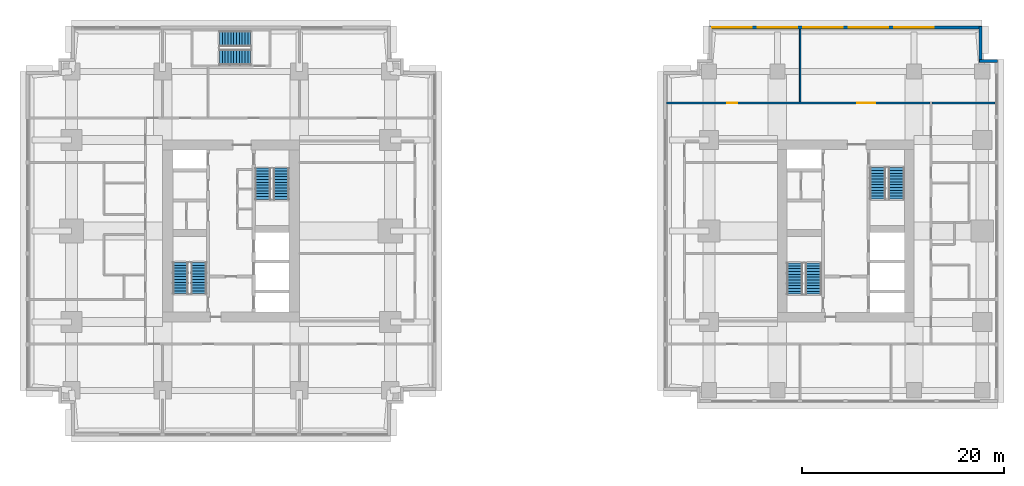
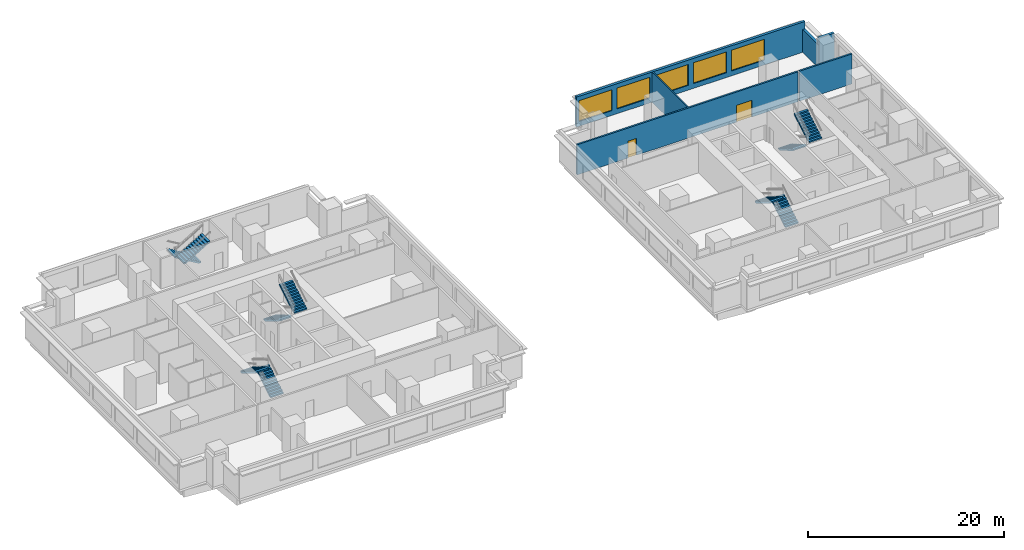
# One storey, part 8 of 10: 10 stair flights, 6 walls, 5 windows, 2 doors, 7 openings, 5 elements without a shape of their own.
"""IFC4 building model written with IfcOpenShell, lengths in metres."""

from ifc_helpers import new_model, si_unit, direction, frame, frame_2d, origin, place, context, subcontext, project, spatial, polyline, rectangle, outline, extrude, material, layer, layer_set, type_object, element, fill, aggregate, save


model = new_model("IFC4")

# Units and contexts
model_context = context("Model", 3, precision=1e-05, world=origin(), true_north=direction((0.0, 1.0)))
body_context = subcontext(model_context, "Body", "Model", "MODEL_VIEW")
ifc_project = project(units=[si_unit("LENGTHUNIT", "METRE"), si_unit("AREAUNIT", "SQUARE_METRE"), si_unit("VOLUMEUNIT", "CUBIC_METRE"), si_unit("PLANEANGLEUNIT", "RADIAN"), si_unit("MASSUNIT", "GRAM", prefix="KILO")], contexts=[model_context])

# Site, building, storey
site_placement = place(None, origin())
site = spatial("IfcSite", under=ifc_project, at=site_placement, CompositionType="ELEMENT")
building_placement = place(site_placement, origin())
building = spatial("IfcBuilding", under=site, at=building_placement, Name="Namib Vertical Campus", CompositionType="ELEMENT")
storey_placement = place(building_placement, frame((0.0, 0.0, 141.0)))
storey = spatial("IfcBuildingStorey", under=building, at=storey_placement, Name="L33", CompositionType="ELEMENT", Elevation=141.0)

# Wall, openings, doors
ifc_material_1 = material(Name="Concrete masonry", Category="masonry")
ifc_layer_1 = layer(ifc_material_1, 0.199951171875)
ifc_layer_set_1 = layer_set([ifc_layer_1], Name="Corridor wall 200")
wall_type_1 = type_object("IfcWallType", Name="Corridor wall 200", PredefinedType="SOLIDWALL", material=ifc_layer_set_1)
wall_1_placement = place(storey_placement, frame((89.35009765625, 32.89990234375, 0.0), z_axis=(0.0, 0.0, 1.0), x_axis=(-1.0, 0.0, 0.0)))
wall_1 = element("IfcWall", 1, at=wall_1_placement, inside=storey, type_object=wall_type_1, Name="Corridor wall B L33 CN", PredefinedType="SOLIDWALL", context=body_context, shape_type="SweptSolid", body=[
    extrude(rectangle(XDim=26.050048828125, YDim=0.199951171875, at=frame_2d((13.02490234375, 0.0))), origin(), (0.0, 0.0, 1.0), 3.75),
])
opening_1_placement = place(wall_1_placement, frame((19.050048828125, 0.0, 0.0)))
opening_1 = element("IfcOpeningElement", 2, at=opening_1_placement, cuts=wall_1, Name="Opening CD1", PredefinedType="OPENING", context=body_context, shape_type="SweptSolid", body=[
    extrude(rectangle(XDim=1.0, YDim=2.10009765625, at=frame_2d((0.5, 1.050048828125))), frame((0.0, 0.10986328125, 0.0), z_axis=(0.0, -1.0, 0.0), x_axis=(1.0, 0.0, 0.0)), (0.0, 0.0, 1.0), 0.219970703125),
])
opening_2_placement = place(wall_1_placement, frame((5.425048828125, 0.0, 0.0)))
opening_2 = element("IfcOpeningElement", 3, at=opening_2_placement, cuts=wall_1, Name="Opening CD2", PredefinedType="OPENING", context=body_context, shape_type="SweptSolid", body=[
    extrude(rectangle(XDim=1.800048828125, YDim=2.10009765625, at=frame_2d((0.89990234375, 1.050048828125))), frame((0.0, 0.10986328125, 0.0), z_axis=(0.0, -1.0, 0.0), x_axis=(1.0, 0.0, 0.0)), (0.0, 0.0, 1.0), 0.219970703125),
])
ifc_material_2 = material(Name="Timber fire door leaf", Category="wood")
door_type_1 = type_object("IfcDoorType", Name="Corridor door 1000x2100 20 min", OperationType="SINGLE_SWING_LEFT", PredefinedType="DOOR", material=ifc_material_2)
door_1_placement = place(opening_1_placement, frame((1.0, 0.0, 0.0), z_axis=(0.0, 0.0, 1.0), x_axis=(-1.0, 0.0, 0.0)))
door_1 = element("IfcDoor", 4, at=door_1_placement, inside=storey, type_object=door_type_1, Name="Door CD1 B33-11", OperationType="SINGLE_SWING_RIGHT", OverallHeight=2.10009765625, OverallWidth=1.0, PredefinedType="DOOR", context=body_context, shape_type="SweptSolid", body=[
    extrude(rectangle(XDim=1.0, YDim=2.10009765625, at=frame_2d((0.5, 1.050048828125))), frame((0.0, 0.02490234375, 0.0), z_axis=(0.0, -1.0, 0.0), x_axis=(1.0, 0.0, 0.0)), (0.0, 0.0, 1.0), 0.050048828125),
])
fill(opening_1, door_1)
ifc_material_3 = material(Name="Timber fire door leaf", Category="wood")
door_type_2 = type_object("IfcDoorType", Name="Corridor door double 1800x2100 20 min", OperationType="DOUBLE_DOOR_SINGLE_SWING", PredefinedType="DOOR", material=ifc_material_3)
door_2_placement = place(opening_2_placement, frame((1.800048828125, 0.0, 0.0), z_axis=(0.0, 0.0, 1.0), x_axis=(-1.0, 0.0, 0.0)))
door_2 = element("IfcDoor", 5, at=door_2_placement, inside=storey, type_object=door_type_2, Name="Door CD2 B33-12", OperationType="DOUBLE_DOOR_SINGLE_SWING", OverallHeight=2.10009765625, OverallWidth=1.800048828125, PredefinedType="DOOR", context=body_context, shape_type="SweptSolid", body=[
    extrude(rectangle(XDim=1.800048828125, YDim=2.10009765625, at=frame_2d((0.89990234375, 1.050048828125))), frame((0.0, 0.02490234375, 0.0), z_axis=(0.0, -1.0, 0.0), x_axis=(1.0, 0.0, 0.0)), (0.0, 0.0, 1.0), 0.050048828125),
])
fill(opening_2, door_2)

# Walls
wall_2_placement = place(storey_placement, frame((89.550048828125, 32.89990234375, 0.0), z_axis=(0.0, 0.0, 1.0), x_axis=(1.0, 0.0, 0.0)))
element("IfcWall", 6, at=wall_2_placement, inside=storey, type_object=wall_type_1, Name="Partition B L33 BNE", PredefinedType="SOLIDWALL", context=body_context, shape_type="SweptSolid", body=[
    extrude(rectangle(XDim=6.199951171875, YDim=0.199951171875, at=frame_2d((3.10009765625, 0.0))), origin(), (0.0, 0.0, 1.0), 3.75),
])
ifc_material_4 = material(Name="Concrete C40/50", Category="concrete")
ifc_layer_2 = layer(ifc_material_4, 0.300048828125)
ifc_layer_set_2 = layer_set([ifc_layer_2], Name="Concrete C40/50")
wall_type_2 = type_object("IfcWallType", Name="External wall 300 board-marked concrete", PredefinedType="STANDARD", material=ifc_layer_set_2)
wall_3_placement = place(storey_placement, frame((96.030029296875, 37.050048828125, 0.0), z_axis=(0.0, 0.0, 1.0), x_axis=(-1.0, 0.0, 0.0)))
element("IfcWall", 7, at=wall_3_placement, inside=storey, type_object=wall_type_2, Name="External wall L33 F05", PredefinedType="STANDARD", context=body_context, shape_type="SweptSolid", body=[
    extrude(rectangle(XDim=1.81005859375, YDim=0.300048828125, at=frame_2d((0.905029296875, 0.0))), origin(), (0.0, 0.0, 1.0), 3.75),
])
wall_4_placement = place(storey_placement, frame((94.35009765625, 36.919921875, 0.0), z_axis=(0.0, 0.0, 1.0), x_axis=(0.0, 1.0, 0.0)))
element("IfcWall", 8, at=wall_4_placement, inside=storey, type_object=wall_type_2, Name="External wall L33 F06", PredefinedType="STANDARD", context=body_context, shape_type="SweptSolid", body=[
    extrude(rectangle(XDim=3.56005859375, YDim=0.300048828125, at=frame_2d((1.780029296875, 0.0))), origin(), (0.0, 0.0, 1.0), 2.85009765625),
])

# Wall, openings, windows
wall_5_placement = place(storey_placement, frame((94.47998046875, 40.35009765625, 0.0), z_axis=(0.0, 0.0, 1.0), x_axis=(-1.0, 0.0, 0.0)))
wall_5 = element("IfcWall", 9, at=wall_5_placement, inside=storey, type_object=wall_type_2, Name="External wall L33 F07", PredefinedType="STANDARD", context=body_context, shape_type="SweptSolid", body=[
    extrude(rectangle(XDim=26.9599609375, YDim=0.300048828125, at=frame_2d((13.47998046875, 0.0))), origin(), (0.0, 0.0, 1.0), 3.75),
])
opening_3_placement = place(wall_5_placement, frame((22.780029296875, 0.0, 0.60009765625)))
opening_3 = element("IfcOpeningElement", 10, at=opening_3_placement, cuts=wall_5, Name="Opening W2", PredefinedType="OPENING", context=body_context, shape_type="SweptSolid", body=[
    extrude(rectangle(XDim=3.89990234375, YDim=2.60009765625, at=frame_2d((1.949951171875, 1.300048828125))), frame((0.0, 0.159912109375, 0.0), z_axis=(0.0, -1.0, 0.0), x_axis=(1.0, 0.0, 0.0)), (0.0, 0.0, 1.0), 0.320068359375),
])
opening_4_placement = place(wall_5_placement, frame((18.280029296875, 0.0, 0.60009765625)))
opening_4 = element("IfcOpeningElement", 11, at=opening_4_placement, cuts=wall_5, Name="Opening W2", PredefinedType="OPENING", context=body_context, shape_type="SweptSolid", body=[
    extrude(rectangle(XDim=3.89990234375, YDim=2.60009765625, at=frame_2d((1.949951171875, 1.300048828125))), frame((0.0, 0.159912109375, 0.0), z_axis=(0.0, -1.0, 0.0), x_axis=(1.0, 0.0, 0.0)), (0.0, 0.0, 1.0), 0.320068359375),
])
opening_5_placement = place(wall_5_placement, frame((13.780029296875, 0.0, 0.60009765625)))
opening_5 = element("IfcOpeningElement", 12, at=opening_5_placement, cuts=wall_5, Name="Opening W2", PredefinedType="OPENING", context=body_context, shape_type="SweptSolid", body=[
    extrude(rectangle(XDim=3.89990234375, YDim=2.60009765625, at=frame_2d((1.949951171875, 1.300048828125))), frame((0.0, 0.159912109375, 0.0), z_axis=(0.0, -1.0, 0.0), x_axis=(1.0, 0.0, 0.0)), (0.0, 0.0, 1.0), 0.320068359375),
])
opening_6_placement = place(wall_5_placement, frame((9.280029296875, 0.0, 0.60009765625)))
opening_6 = element("IfcOpeningElement", 13, at=opening_6_placement, cuts=wall_5, Name="Opening W2", PredefinedType="OPENING", context=body_context, shape_type="SweptSolid", body=[
    extrude(rectangle(XDim=3.89990234375, YDim=2.60009765625, at=frame_2d((1.949951171875, 1.300048828125))), frame((0.0, 0.159912109375, 0.0), z_axis=(0.0, -1.0, 0.0), x_axis=(1.0, 0.0, 0.0)), (0.0, 0.0, 1.0), 0.320068359375),
])
opening_7_placement = place(wall_5_placement, frame((4.780029296875, 0.0, 0.60009765625)))
opening_7 = element("IfcOpeningElement", 14, at=opening_7_placement, cuts=wall_5, Name="Opening W2", PredefinedType="OPENING", context=body_context, shape_type="SweptSolid", body=[
    extrude(rectangle(XDim=3.89990234375, YDim=2.60009765625, at=frame_2d((1.949951171875, 1.300048828125))), frame((0.0, 0.159912109375, 0.0), z_axis=(0.0, -1.0, 0.0), x_axis=(1.0, 0.0, 0.0)), (0.0, 0.0, 1.0), 0.320068359375),
])
ifc_material_5 = material(Name="Dark tinted glass in black aluminium frame", Category="aluminium")
window_type = type_object("IfcWindowType", Name="Ribbon window 3900x2600", PartitioningType="SINGLE_PANEL", PredefinedType="WINDOW", material=ifc_material_5)
window_1_placement = place(opening_3_placement, origin())
window_1 = element("IfcWindow", 15, at=window_1_placement, inside=storey, type_object=window_type, Name="Window W2 L33 F07-1", OverallHeight=2.60009765625, OverallWidth=3.89990234375, PartitioningType="SINGLE_PANEL", PredefinedType="WINDOW", context=body_context, shape_type="SweptSolid", body=[
    extrude(rectangle(XDim=3.89990234375, YDim=2.60009765625, at=frame_2d((1.949951171875, 1.300048828125))), frame((0.0, 0.030029296875, 0.0), z_axis=(0.0, -1.0, 0.0), x_axis=(1.0, 0.0, 0.0)), (0.0, 0.0, 1.0), 0.06005859375),
])
fill(opening_3, window_1)
window_2_placement = place(opening_4_placement, origin())
window_2 = element("IfcWindow", 16, at=window_2_placement, inside=storey, type_object=window_type, Name="Window W2 L33 F07-2", OverallHeight=2.60009765625, OverallWidth=3.89990234375, PartitioningType="SINGLE_PANEL", PredefinedType="WINDOW", context=body_context, shape_type="SweptSolid", body=[
    extrude(rectangle(XDim=3.89990234375, YDim=2.60009765625, at=frame_2d((1.949951171875, 1.300048828125))), frame((0.0, 0.030029296875, 0.0), z_axis=(0.0, -1.0, 0.0), x_axis=(1.0, 0.0, 0.0)), (0.0, 0.0, 1.0), 0.06005859375),
])
fill(opening_4, window_2)
window_3_placement = place(opening_5_placement, origin())
window_3 = element("IfcWindow", 17, at=window_3_placement, inside=storey, type_object=window_type, Name="Window W2 L33 F07-3", OverallHeight=2.60009765625, OverallWidth=3.89990234375, PartitioningType="SINGLE_PANEL", PredefinedType="WINDOW", context=body_context, shape_type="SweptSolid", body=[
    extrude(rectangle(XDim=3.89990234375, YDim=2.60009765625, at=frame_2d((1.949951171875, 1.300048828125))), frame((0.0, 0.030029296875, 0.0), z_axis=(0.0, -1.0, 0.0), x_axis=(1.0, 0.0, 0.0)), (0.0, 0.0, 1.0), 0.06005859375),
])
fill(opening_5, window_3)
window_4_placement = place(opening_6_placement, origin())
window_4 = element("IfcWindow", 18, at=window_4_placement, inside=storey, type_object=window_type, Name="Window W2 L33 F07-4", OverallHeight=2.60009765625, OverallWidth=3.89990234375, PartitioningType="SINGLE_PANEL", PredefinedType="WINDOW", context=body_context, shape_type="SweptSolid", body=[
    extrude(rectangle(XDim=3.89990234375, YDim=2.60009765625, at=frame_2d((1.949951171875, 1.300048828125))), frame((0.0, 0.030029296875, 0.0), z_axis=(0.0, -1.0, 0.0), x_axis=(1.0, 0.0, 0.0)), (0.0, 0.0, 1.0), 0.06005859375),
])
fill(opening_6, window_4)
window_5_placement = place(opening_7_placement, origin())
window_5 = element("IfcWindow", 19, at=window_5_placement, inside=storey, type_object=window_type, Name="Window W2 L33 F07-5", OverallHeight=2.60009765625, OverallWidth=3.89990234375, PartitioningType="SINGLE_PANEL", PredefinedType="WINDOW", context=body_context, shape_type="SweptSolid", body=[
    extrude(rectangle(XDim=3.89990234375, YDim=2.60009765625, at=frame_2d((1.949951171875, 1.300048828125))), frame((0.0, 0.030029296875, 0.0), z_axis=(0.0, -1.0, 0.0), x_axis=(1.0, 0.0, 0.0)), (0.0, 0.0, 1.0), 0.06005859375),
])
fill(opening_7, window_5)

# Wall
ifc_material_6 = material(Name="Gypsum board on steel studs", Category="steel")
ifc_layer_3 = layer(ifc_material_6, 0.14990234375)
ifc_layer_set_3 = layer_set([ifc_layer_3], Name="Gypsum board on steel studs")
wall_type_3 = type_object("IfcWallType", Name="Partition 150", PredefinedType="PARTITIONING", material=ifc_layer_set_3)
wall_6_placement = place(storey_placement, frame((76.5, 33.0, 0.0), z_axis=(0.0, 0.0, 1.0), x_axis=(0.0, 1.0, 0.0)))
element("IfcWall", 20, at=wall_6_placement, inside=storey, type_object=wall_type_3, Name="Partition B L33 PN1", PredefinedType="PARTITIONING", context=body_context, shape_type="SweptSolid", body=[
    extrude(rectangle(XDim=7.199951171875, YDim=0.14990234375, at=frame_2d((3.60009765625, 0.0))), origin(), (0.0, 0.0, 1.0), 3.75),
])

# Stair, stair flights
ifc_material_7 = material(Name="Concrete C40/50 precast", Category="concrete")
stair_type_1 = type_object("IfcStairType", Name="Exit stair 4000 rise 24 risers 3350 wide", PredefinedType="HALF_TURN_STAIR", material=ifc_material_7)
stair_1_placement = place(storey_placement, origin())
stair_1 = element("IfcStair", 21, at=stair_1_placement, inside=storey, type_object=stair_type_1, Name="Exit stair A-S1 L33", PredefinedType="HALF_TURN_STAIR")
ifc_material_8 = material(Name="Concrete C40/50 precast", Category="concrete")
stair_flight_type_1 = type_object("IfcStairFlightType", Name="Stair flight 12 risers 167 1525 wide", PredefinedType="STRAIGHT", material=ifc_material_8)
stair_flight_1_placement = place(storey_placement, frame((17.08740234375, 14.050048828125, 0.0), z_axis=(0.0, 0.0, 1.0), x_axis=(0.0, 1.0, 0.0)))
stair_flight_1 = element("IfcStairFlight", 22, at=stair_flight_1_placement, type_object=stair_flight_type_1, Name="A-S1 flight 1", NumberOfRisers=12, NumberOfTreads=11, PredefinedType="STRAIGHT", RiserHeight=0.166666667, TreadLength=0.28, context=body_context, shape_type="SweptSolid", body=[
    extrude(outline(polyline([(0.0, 0.0), (0.0, 0.166748046875), (0.280029296875, 0.166748046875), (0.280029296875, 0.333251953125), (0.56005859375, 0.333251953125), (0.56005859375, 0.5), (0.840087890625, 0.5), (0.840087890625, 0.666748046875), (1.1201171875, 0.666748046875), (1.1201171875, 0.833251953125), (1.39990234375, 0.833251953125), (1.39990234375, 1.0), (1.679931640625, 1.0), (1.679931640625, 1.166748046875), (1.9599609375, 1.166748046875), (1.9599609375, 1.333251953125), (2.239990234375, 1.333251953125), (2.239990234375, 1.5), (2.52001953125, 1.5), (2.52001953125, 1.666748046875), (2.800048828125, 1.666748046875), (2.800048828125, 1.833251953125), (3.080078125, 1.833251953125), (3.080078125, 2.0), (3.080078125, 1.658935546875), (0.29296875, 0.0), (0.0, 0.0)])), frame((0.0, 0.762451171875, 0.0), z_axis=(0.0, -1.0, 0.0), x_axis=(1.0, 0.0, 0.0)), (0.0, 0.0, 1.0), 1.52490234375),
])
stair_flight_2_placement = place(storey_placement, frame((15.262451171875, 17.1298828125, 2.0), z_axis=(0.0, 0.0, 1.0), x_axis=(0.0, -1.0, 0.0)))
stair_flight_2 = element("IfcStairFlight", 23, at=stair_flight_2_placement, type_object=stair_flight_type_1, Name="A-S1 flight 2", NumberOfRisers=12, NumberOfTreads=11, PredefinedType="STRAIGHT", RiserHeight=0.166666667, TreadLength=0.28, context=body_context, shape_type="SweptSolid", body=[
    extrude(outline(polyline([(0.0, 0.0), (0.0, 0.166748046875), (0.280029296875, 0.166748046875), (0.280029296875, 0.333251953125), (0.56005859375, 0.333251953125), (0.56005859375, 0.5), (0.840087890625, 0.5), (0.840087890625, 0.666748046875), (1.1201171875, 0.666748046875), (1.1201171875, 0.833251953125), (1.39990234375, 0.833251953125), (1.39990234375, 1.0), (1.679931640625, 1.0), (1.679931640625, 1.166748046875), (1.9599609375, 1.166748046875), (1.9599609375, 1.333251953125), (2.239990234375, 1.333251953125), (2.239990234375, 1.5), (2.52001953125, 1.5), (2.52001953125, 1.666748046875), (2.800048828125, 1.666748046875), (2.800048828125, 1.833251953125), (3.080078125, 1.833251953125), (3.080078125, 2.0), (3.080078125, 1.658935546875), (0.29296875, 0.0), (0.0, 0.0)])), frame((0.0, 0.762451171875, 0.0), z_axis=(0.0, -1.0, 0.0), x_axis=(1.0, 0.0, 0.0)), (0.0, 0.0, 1.0), 1.52490234375),
])
aggregate(stair_1, [stair_flight_1, stair_flight_2])

stair_2_placement = place(storey_placement, origin())
stair_2 = element("IfcStair", 24, at=stair_2_placement, inside=storey, type_object=stair_type_1, Name="Exit stair A-S2 L33", PredefinedType="HALF_TURN_STAIR")
stair_flight_3_placement = place(storey_placement, frame((23.41259765625, 26.449951171875, 0.0), z_axis=(0.0, 0.0, 1.0), x_axis=(0.0, -1.0, 0.0)))
stair_flight_3 = element("IfcStairFlight", 25, at=stair_flight_3_placement, type_object=stair_flight_type_1, Name="A-S2 flight 1", NumberOfRisers=12, NumberOfTreads=11, PredefinedType="STRAIGHT", RiserHeight=0.166666667, TreadLength=0.28, context=body_context, shape_type="SweptSolid", body=[
    extrude(outline(polyline([(0.0, 0.0), (0.0, 0.166748046875), (0.280029296875, 0.166748046875), (0.280029296875, 0.333251953125), (0.56005859375, 0.333251953125), (0.56005859375, 0.5), (0.840087890625, 0.5), (0.840087890625, 0.666748046875), (1.1201171875, 0.666748046875), (1.1201171875, 0.833251953125), (1.39990234375, 0.833251953125), (1.39990234375, 1.0), (1.679931640625, 1.0), (1.679931640625, 1.166748046875), (1.9599609375, 1.166748046875), (1.9599609375, 1.333251953125), (2.239990234375, 1.333251953125), (2.239990234375, 1.5), (2.52001953125, 1.5), (2.52001953125, 1.666748046875), (2.800048828125, 1.666748046875), (2.800048828125, 1.833251953125), (3.080078125, 1.833251953125), (3.080078125, 2.0), (3.080078125, 1.658935546875), (0.29296875, 0.0), (0.0, 0.0)])), frame((0.0, 0.762451171875, 0.0), z_axis=(0.0, -1.0, 0.0), x_axis=(1.0, 0.0, 0.0)), (0.0, 0.0, 1.0), 1.52490234375),
])
stair_flight_4_placement = place(storey_placement, frame((25.237548828125, 23.3701171875, 2.0), z_axis=(0.0, 0.0, 1.0), x_axis=(0.0, 1.0, 0.0)))
stair_flight_4 = element("IfcStairFlight", 26, at=stair_flight_4_placement, type_object=stair_flight_type_1, Name="A-S2 flight 2", NumberOfRisers=12, NumberOfTreads=11, PredefinedType="STRAIGHT", RiserHeight=0.166666667, TreadLength=0.28, context=body_context, shape_type="SweptSolid", body=[
    extrude(outline(polyline([(0.0, 0.0), (0.0, 0.166748046875), (0.280029296875, 0.166748046875), (0.280029296875, 0.333251953125), (0.56005859375, 0.333251953125), (0.56005859375, 0.5), (0.840087890625, 0.5), (0.840087890625, 0.666748046875), (1.1201171875, 0.666748046875), (1.1201171875, 0.833251953125), (1.39990234375, 0.833251953125), (1.39990234375, 1.0), (1.679931640625, 1.0), (1.679931640625, 1.166748046875), (1.9599609375, 1.166748046875), (1.9599609375, 1.333251953125), (2.239990234375, 1.333251953125), (2.239990234375, 1.5), (2.52001953125, 1.5), (2.52001953125, 1.666748046875), (2.800048828125, 1.666748046875), (2.800048828125, 1.833251953125), (3.080078125, 1.833251953125), (3.080078125, 2.0), (3.080078125, 1.658935546875), (0.29296875, 0.0), (0.0, 0.0)])), frame((0.0, 0.762451171875, 0.0), z_axis=(0.0, -1.0, 0.0), x_axis=(1.0, 0.0, 0.0)), (0.0, 0.0, 1.0), 1.52490234375),
])
aggregate(stair_2, [stair_flight_3, stair_flight_4])

stair_3_placement = place(storey_placement, origin())
stair_3 = element("IfcStair", 27, at=stair_3_placement, inside=storey, type_object=stair_type_1, Name="Exit stair A-S3 L33", PredefinedType="HALF_TURN_STAIR")
stair_flight_5_placement = place(storey_placement, frame((22.199951171875, 39.237548828125, 0.0), z_axis=(0.0, 0.0, 1.0), x_axis=(-1.0, 0.0, 0.0)))
stair_flight_5 = element("IfcStairFlight", 28, at=stair_flight_5_placement, type_object=stair_flight_type_1, Name="A-S3 flight 1", NumberOfRisers=12, NumberOfTreads=11, PredefinedType="STRAIGHT", RiserHeight=0.166666667, TreadLength=0.28, context=body_context, shape_type="SweptSolid", body=[
    extrude(outline(polyline([(0.0, 0.0), (0.0, 0.166748046875), (0.280029296875, 0.166748046875), (0.280029296875, 0.333251953125), (0.56005859375, 0.333251953125), (0.56005859375, 0.5), (0.840087890625, 0.5), (0.840087890625, 0.666748046875), (1.1201171875, 0.666748046875), (1.1201171875, 0.833251953125), (1.39990234375, 0.833251953125), (1.39990234375, 1.0), (1.679931640625, 1.0), (1.679931640625, 1.166748046875), (1.9599609375, 1.166748046875), (1.9599609375, 1.333251953125), (2.239990234375, 1.333251953125), (2.239990234375, 1.5), (2.52001953125, 1.5), (2.52001953125, 1.666748046875), (2.800048828125, 1.666748046875), (2.800048828125, 1.833251953125), (3.080078125, 1.833251953125), (3.080078125, 2.0), (3.080078125, 1.658935546875), (0.29296875, 0.0), (0.0, 0.0)])), frame((0.0, 0.762451171875, 0.0), z_axis=(0.0, -1.0, 0.0), x_axis=(1.0, 0.0, 0.0)), (0.0, 0.0, 1.0), 1.52490234375),
])
stair_flight_6_placement = place(storey_placement, frame((19.1201171875, 37.41259765625, 2.0), z_axis=(0.0, 0.0, 1.0), x_axis=(1.0, 0.0, 0.0)))
stair_flight_6 = element("IfcStairFlight", 29, at=stair_flight_6_placement, type_object=stair_flight_type_1, Name="A-S3 flight 2", NumberOfRisers=12, NumberOfTreads=11, PredefinedType="STRAIGHT", RiserHeight=0.166666667, TreadLength=0.28, context=body_context, shape_type="SweptSolid", body=[
    extrude(outline(polyline([(0.0, 0.0), (0.0, 0.166748046875), (0.280029296875, 0.166748046875), (0.280029296875, 0.333251953125), (0.56005859375, 0.333251953125), (0.56005859375, 0.5), (0.840087890625, 0.5), (0.840087890625, 0.666748046875), (1.1201171875, 0.666748046875), (1.1201171875, 0.833251953125), (1.39990234375, 0.833251953125), (1.39990234375, 1.0), (1.679931640625, 1.0), (1.679931640625, 1.166748046875), (1.9599609375, 1.166748046875), (1.9599609375, 1.333251953125), (2.239990234375, 1.333251953125), (2.239990234375, 1.5), (2.52001953125, 1.5), (2.52001953125, 1.666748046875), (2.800048828125, 1.666748046875), (2.800048828125, 1.833251953125), (3.080078125, 1.833251953125), (3.080078125, 2.0), (3.080078125, 1.658935546875), (0.29296875, 0.0), (0.0, 0.0)])), frame((0.0, 0.762451171875, 0.0), z_axis=(0.0, -1.0, 0.0), x_axis=(1.0, 0.0, 0.0)), (0.0, 0.0, 1.0), 1.52490234375),
])
aggregate(stair_3, [stair_flight_5, stair_flight_6])

ifc_material_9 = material(Name="Concrete C40/50 precast", Category="concrete")
stair_type_2 = type_object("IfcStairType", Name="Exit stair 4000 rise 24 risers 3400 wide", PredefinedType="HALF_TURN_STAIR", material=ifc_material_9)
stair_4_placement = place(storey_placement, origin())
stair_4 = element("IfcStair", 30, at=stair_4_placement, inside=storey, type_object=stair_type_2, Name="Exit stair B-S1 L33", PredefinedType="HALF_TURN_STAIR")
ifc_material_10 = material(Name="Concrete C40/50 precast", Category="concrete")
stair_flight_type_2 = type_object("IfcStairFlightType", Name="Stair flight 12 risers 167 1550 wide", PredefinedType="STRAIGHT", material=ifc_material_10)
stair_flight_7_placement = place(storey_placement, frame((77.824951171875, 14.0, 0.0), z_axis=(0.0, 0.0, 1.0), x_axis=(0.0, 1.0, 0.0)))
stair_flight_7 = element("IfcStairFlight", 31, at=stair_flight_7_placement, type_object=stair_flight_type_2, Name="B-S1 flight 1", NumberOfRisers=12, NumberOfTreads=11, PredefinedType="STRAIGHT", RiserHeight=0.166666667, TreadLength=0.28, context=body_context, shape_type="SweptSolid", body=[
    extrude(outline(polyline([(0.0, 0.0), (0.0, 0.166748046875), (0.280029296875, 0.166748046875), (0.280029296875, 0.333251953125), (0.56005859375, 0.333251953125), (0.56005859375, 0.5), (0.840087890625, 0.5), (0.840087890625, 0.666748046875), (1.1201171875, 0.666748046875), (1.1201171875, 0.833251953125), (1.39990234375, 0.833251953125), (1.39990234375, 1.0), (1.679931640625, 1.0), (1.679931640625, 1.166748046875), (1.9599609375, 1.166748046875), (1.9599609375, 1.333251953125), (2.239990234375, 1.333251953125), (2.239990234375, 1.5), (2.52001953125, 1.5), (2.52001953125, 1.666748046875), (2.800048828125, 1.666748046875), (2.800048828125, 1.833251953125), (3.080078125, 1.833251953125), (3.080078125, 2.0), (3.080078125, 1.658935546875), (0.29296875, 0.0), (0.0, 0.0)])), frame((0.0, 0.77490234375, 0.0), z_axis=(0.0, -1.0, 0.0), x_axis=(1.0, 0.0, 0.0)), (0.0, 0.0, 1.0), 1.550048828125),
])
stair_flight_8_placement = place(storey_placement, frame((75.97509765625, 17.080078125, 2.0), z_axis=(0.0, 0.0, 1.0), x_axis=(0.0, -1.0, 0.0)))
stair_flight_8 = element("IfcStairFlight", 32, at=stair_flight_8_placement, type_object=stair_flight_type_2, Name="B-S1 flight 2", NumberOfRisers=12, NumberOfTreads=11, PredefinedType="STRAIGHT", RiserHeight=0.166666667, TreadLength=0.28, context=body_context, shape_type="SweptSolid", body=[
    extrude(outline(polyline([(0.0, 0.0), (0.0, 0.166748046875), (0.280029296875, 0.166748046875), (0.280029296875, 0.333251953125), (0.56005859375, 0.333251953125), (0.56005859375, 0.5), (0.840087890625, 0.5), (0.840087890625, 0.666748046875), (1.1201171875, 0.666748046875), (1.1201171875, 0.833251953125), (1.39990234375, 0.833251953125), (1.39990234375, 1.0), (1.679931640625, 1.0), (1.679931640625, 1.166748046875), (1.9599609375, 1.166748046875), (1.9599609375, 1.333251953125), (2.239990234375, 1.333251953125), (2.239990234375, 1.5), (2.52001953125, 1.5), (2.52001953125, 1.666748046875), (2.800048828125, 1.666748046875), (2.800048828125, 1.833251953125), (3.080078125, 1.833251953125), (3.080078125, 2.0), (3.080078125, 1.658935546875), (0.29296875, 0.0), (0.0, 0.0)])), frame((0.0, 0.77490234375, 0.0), z_axis=(0.0, -1.0, 0.0), x_axis=(1.0, 0.0, 0.0)), (0.0, 0.0, 1.0), 1.550048828125),
])
aggregate(stair_4, [stair_flight_7, stair_flight_8])

stair_5_placement = place(storey_placement, origin())
stair_5 = element("IfcStair", 33, at=stair_5_placement, inside=storey, type_object=stair_type_2, Name="Exit stair B-S2 L33", PredefinedType="HALF_TURN_STAIR")
stair_flight_9_placement = place(storey_placement, frame((84.175048828125, 26.5, 0.0), z_axis=(0.0, 0.0, 1.0), x_axis=(0.0, -1.0, 0.0)))
stair_flight_9 = element("IfcStairFlight", 34, at=stair_flight_9_placement, type_object=stair_flight_type_2, Name="B-S2 flight 1", NumberOfRisers=12, NumberOfTreads=11, PredefinedType="STRAIGHT", RiserHeight=0.166666667, TreadLength=0.28, context=body_context, shape_type="SweptSolid", body=[
    extrude(outline(polyline([(0.0, 0.0), (0.0, 0.166748046875), (0.280029296875, 0.166748046875), (0.280029296875, 0.333251953125), (0.56005859375, 0.333251953125), (0.56005859375, 0.5), (0.840087890625, 0.5), (0.840087890625, 0.666748046875), (1.1201171875, 0.666748046875), (1.1201171875, 0.833251953125), (1.39990234375, 0.833251953125), (1.39990234375, 1.0), (1.679931640625, 1.0), (1.679931640625, 1.166748046875), (1.9599609375, 1.166748046875), (1.9599609375, 1.333251953125), (2.239990234375, 1.333251953125), (2.239990234375, 1.5), (2.52001953125, 1.5), (2.52001953125, 1.666748046875), (2.800048828125, 1.666748046875), (2.800048828125, 1.833251953125), (3.080078125, 1.833251953125), (3.080078125, 2.0), (3.080078125, 1.658935546875), (0.29296875, 0.0), (0.0, 0.0)])), frame((0.0, 0.77490234375, 0.0), z_axis=(0.0, -1.0, 0.0), x_axis=(1.0, 0.0, 0.0)), (0.0, 0.0, 1.0), 1.550048828125),
])
stair_flight_10_placement = place(storey_placement, frame((86.02490234375, 23.419921875, 2.0), z_axis=(0.0, 0.0, 1.0), x_axis=(0.0, 1.0, 0.0)))
stair_flight_10 = element("IfcStairFlight", 35, at=stair_flight_10_placement, type_object=stair_flight_type_2, Name="B-S2 flight 2", NumberOfRisers=12, NumberOfTreads=11, PredefinedType="STRAIGHT", RiserHeight=0.166666667, TreadLength=0.28, context=body_context, shape_type="SweptSolid", body=[
    extrude(outline(polyline([(0.0, 0.0), (0.0, 0.166748046875), (0.280029296875, 0.166748046875), (0.280029296875, 0.333251953125), (0.56005859375, 0.333251953125), (0.56005859375, 0.5), (0.840087890625, 0.5), (0.840087890625, 0.666748046875), (1.1201171875, 0.666748046875), (1.1201171875, 0.833251953125), (1.39990234375, 0.833251953125), (1.39990234375, 1.0), (1.679931640625, 1.0), (1.679931640625, 1.166748046875), (1.9599609375, 1.166748046875), (1.9599609375, 1.333251953125), (2.239990234375, 1.333251953125), (2.239990234375, 1.5), (2.52001953125, 1.5), (2.52001953125, 1.666748046875), (2.800048828125, 1.666748046875), (2.800048828125, 1.833251953125), (3.080078125, 1.833251953125), (3.080078125, 2.0), (3.080078125, 1.658935546875), (0.29296875, 0.0), (0.0, 0.0)])), frame((0.0, 0.77490234375, 0.0), z_axis=(0.0, -1.0, 0.0), x_axis=(1.0, 0.0, 0.0)), (0.0, 0.0, 1.0), 1.550048828125),
])
aggregate(stair_5, [stair_flight_9, stair_flight_10])

save(model, "model.ifc")
